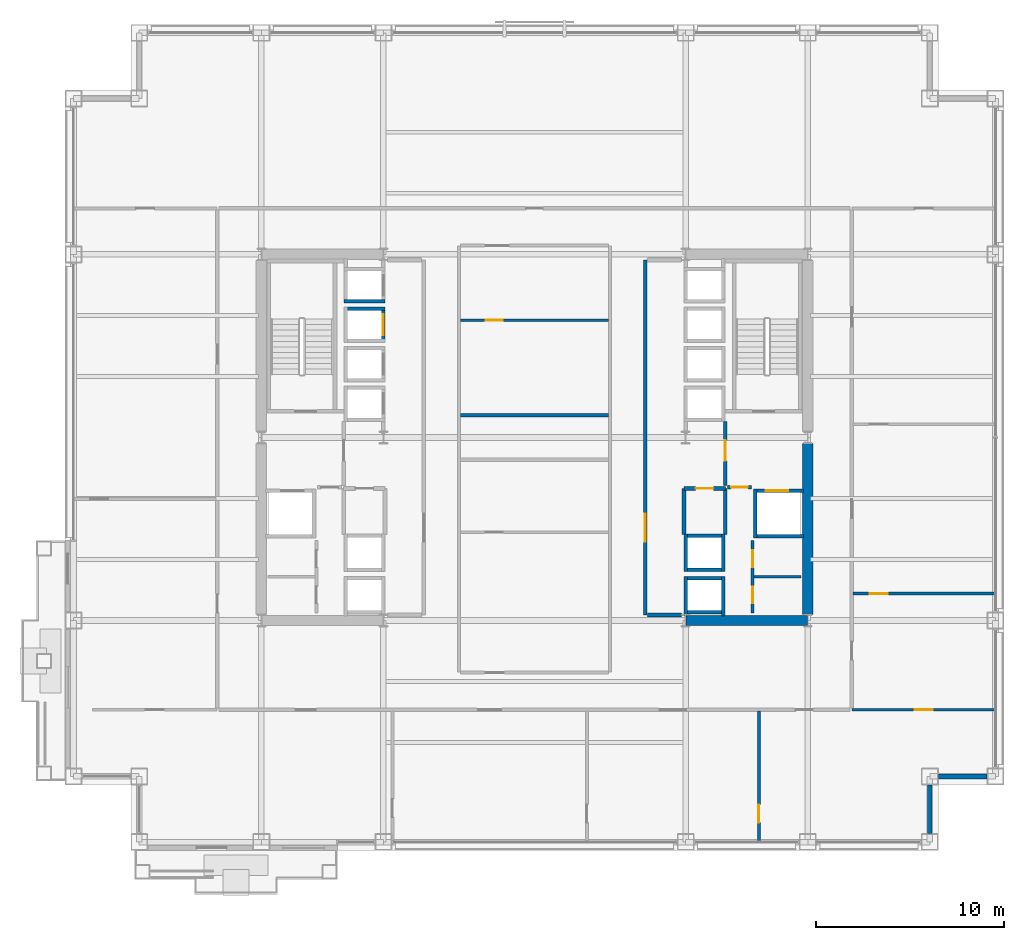
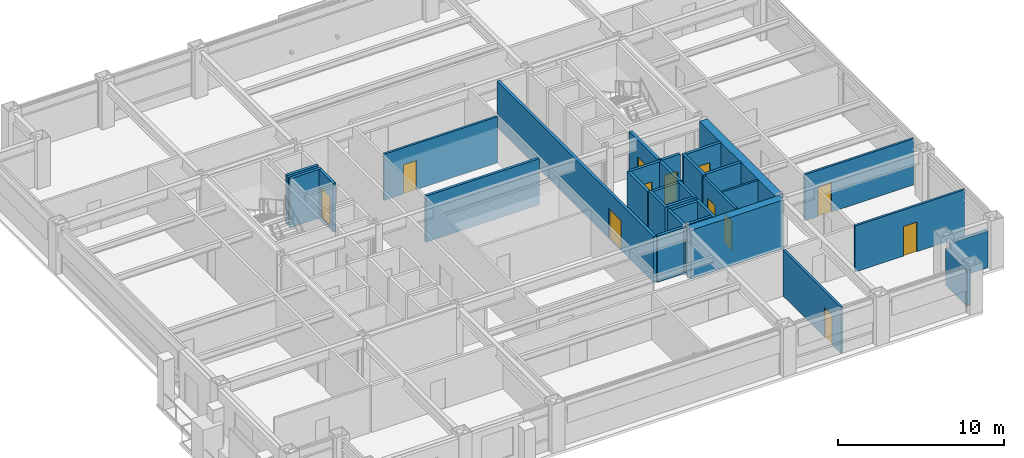
# One storey, part 24 of 29: 32 walls, 12 doors, 12 openings.
"""IFC4 building model written with IfcOpenShell, lengths in metres."""

import ifcopenshell
import ifcopenshell.guid

model = None  # the IFC model being written
_history = None  # IfcOwnerHistory: only IFC2X3 demands one
_inside = {}  # id of a spatial element -> (the spatial element, [elements in it])
_under = {}  # id of a project, library or spatial element -> (it, [spatial elements below it])
_declared = {}  # id of a project -> (the project, [libraries it declares])
_typed = {}  # id of a type object -> (the type object, [elements of that type])
_made_of = {}  # id of a material, layer set ... -> (it, [elements and type objects made of it])


def new_model(schema):
    """Start an empty IFC model of exactly this schema.

    Asked for "IFC4X3", IfcOpenShell would pick the latest addendum, in which some entities
    have other attributes; the version numbers below select the first issue.
    IFC2X3 requires an IfcOwnerHistory on every rooted entity: one is made here for all.
    """
    global model, _history
    if schema == "IFC4X3":
        model = ifcopenshell.file(schema_version=(4, 3, 0, 0))
    else:
        model = ifcopenshell.file(schema=schema)
    _inside.clear()
    _under.clear()
    _declared.clear()
    _typed.clear()
    _made_of.clear()
    _history = None
    if model.schema == "IFC2X3":
        org = make("IfcOrganization", Name="unknown")
        user = make(
            "IfcPersonAndOrganization",
            ThePerson=make("IfcPerson", FamilyName="unknown"),
            TheOrganization=org,
        )
        app = make(
            "IfcApplication",
            ApplicationDeveloper=org,
            Version="unknown",
            ApplicationFullName="unknown",
            ApplicationIdentifier="unknown",
        )
        _history = make(
            "IfcOwnerHistory",
            OwningUser=user,
            OwningApplication=app,
            ChangeAction="ADDED",
            CreationDate=0,
        )
    return model


def make(cls, **values):
    """One entity of the class cls with the attributes given. An attribute that is None is left unset."""
    return model.create_entity(
        cls, **{name: value for name, value in values.items() if value is not None}
    )


def rooted(cls, **values):
    """An entity with a GlobalId (a new one), such as an element, a storey or a relation."""
    return make(cls, GlobalId=ifcopenshell.guid.new(), OwnerHistory=_history, **values)


def si_unit(unit_type, name, prefix=None):
    """IfcSIUnit, for example si_unit("LENGTHUNIT", "METRE", prefix="MILLI")."""
    return make("IfcSIUnit", UnitType=unit_type, Prefix=prefix, Name=name)


def assignment(units):
    """IfcUnitAssignment: the units of a project."""
    return None if units is None else make("IfcUnitAssignment", Units=units)


def point(xyz):
    """IfcCartesianPoint."""
    return None if xyz is None else make("IfcCartesianPoint", Coordinates=xyz)


def direction(xyz):
    """IfcDirection."""
    return None if xyz is None else make("IfcDirection", DirectionRatios=xyz)


def frame(location, z_axis=None, x_axis=None):
    """IfcAxis2Placement3D, a coordinate frame: its origin and axes. An axis left out is left unset."""
    return make(
        "IfcAxis2Placement3D",
        Location=point(location),
        Axis=direction(z_axis),
        RefDirection=direction(x_axis),
    )


def frame_2d(location, x_axis=None):
    """IfcAxis2Placement2D, a coordinate frame in the plane: its origin and x axis."""
    return make(
        "IfcAxis2Placement2D", Location=point(location), RefDirection=direction(x_axis)
    )


def origin():
    """The frame at (0, 0, 0) with its axes left unset."""
    return frame((0.0, 0.0, 0.0))


def place(relative_to, where):
    """IfcLocalPlacement: puts the frame where relative to a parent placement (None: the world)."""
    return make(
        "IfcLocalPlacement", PlacementRelTo=relative_to, RelativePlacement=where
    )


def context(
    kind, dimensions, precision=None, world=None, true_north=None, identifier=None
):
    """IfcGeometricRepresentationContext, for example the 3D "Model" context."""
    return make(
        "IfcGeometricRepresentationContext",
        ContextIdentifier=identifier,
        ContextType=kind,
        CoordinateSpaceDimension=dimensions,
        Precision=precision,
        WorldCoordinateSystem=world,
        TrueNorth=true_north,
    )


def subcontext(parent, identifier, kind, view, scale=None):
    """IfcGeometricRepresentationSubContext, for example "Body" below "Model"."""
    return make(
        "IfcGeometricRepresentationSubContext",
        ContextIdentifier=identifier,
        ContextType=kind,
        ParentContext=parent,
        TargetScale=scale,
        TargetView=view,
    )


def project(units=None, contexts=None):
    """IfcProject with its units and contexts."""
    return rooted(
        "IfcProject",
        Name="project",
        RepresentationContexts=contexts,
        UnitsInContext=assignment(units),
    )


def spatial(cls, under=None, at=None, **own):
    """A site, building, storey or space (cls), placed at a placement, below another one or the project."""
    s = rooted(cls, ObjectPlacement=at, **own)
    if under is not None:
        _under.setdefault(under.id(), (under, []))[1].append(s)
    return s


def profile(cls, at=None, kind="AREA", **sizes):
    """A parametric profile (cls). Its sizes go by their IFC names, for example OverallWidth=200.0."""
    return make(cls, ProfileType=kind, Position=at, **sizes)


def rectangle(**sizes):
    """IfcRectangleProfileDef."""
    return profile("IfcRectangleProfileDef", **sizes)


def extrude(swept, where, along, depth):
    """IfcExtrudedAreaSolid: the profile swept, set in the frame where, extruded along a direction by depth."""
    return make(
        "IfcExtrudedAreaSolid",
        SweptArea=swept,
        Position=where,
        ExtrudedDirection=direction(along),
        Depth=depth,
    )


def shape(context_of_items, identifier, shape_type, items):
    """IfcShapeRepresentation: the items that make up one representation, for example the "Body"."""
    return make(
        "IfcShapeRepresentation",
        ContextOfItems=context_of_items,
        RepresentationIdentifier=identifier,
        RepresentationType=shape_type,
        Items=items,
    )


def material(Name=None, Category=None):
    """IfcMaterial."""
    return make("IfcMaterial", Name=Name, Category=Category)


def layer(
    of_material, thickness, ventilated=None, Name=None, Category=None, Priority=None
):
    """IfcMaterialLayer: one layer of a wall or slab, of a material (None: an air gap)."""
    return make(
        "IfcMaterialLayer",
        Material=of_material,
        LayerThickness=thickness,
        IsVentilated=ventilated,
        Name=Name,
        Category=Category,
        Priority=Priority,
    )


def layer_set(layers, Name=None):
    """IfcMaterialLayerSet."""
    return make("IfcMaterialLayerSet", MaterialLayers=layers, LayerSetName=Name)


def made_of(thing, what):
    """Note that an element or type object is made of a material, layer set ...; save() writes the relation."""
    if what is not None:
        _made_of.setdefault(what.id(), (what, []))[1].append(thing)
    return thing


def type_object(cls, material=None, **own):
    """A type object (cls), such as IfcWallType, which elements share."""
    return made_of(rooted(cls, **own), material)


def element(
    cls,
    number,
    at=None,
    inside=None,
    cuts=None,
    type_object=None,
    material=None,
    context=None,
    identifier="Body",
    shape_type=None,
    held_by="IfcProductDefinitionShape",
    body=None,
    shapes=None,
    **own,
):
    """One element of the class cls, such as IfcWall. Its Tag is "e" and its number.

    at: its placement. inside: the storey or other place that contains it. cuts: it is an
    opening in that element (IfcRelVoidsElement). A single representation is given by context,
    identifier, shape_type and body (its items); several are given by shapes. held_by: the class
    of the entity that holds the representations. save() writes the other relations.
    """
    e = rooted(cls, Tag="e%d" % number, ObjectPlacement=at, **own)
    if body is not None:
        shapes = [shape(context, identifier, shape_type, body)]
    if shapes is not None:
        e.Representation = make(held_by, Representations=shapes)
    if inside is not None:
        _inside.setdefault(inside.id(), (inside, []))[1].append(e)
    if cuts is not None:
        rooted(
            "IfcRelVoidsElement", RelatingBuildingElement=cuts, RelatedOpeningElement=e
        )
    if type_object is not None:
        _typed.setdefault(type_object.id(), (type_object, []))[1].append(e)
    return made_of(e, material)


def fill(opening, filler):
    """IfcRelFillsElement: the door or window that sits in an opening."""
    return rooted(
        "IfcRelFillsElement",
        RelatingOpeningElement=opening,
        RelatedBuildingElement=filler,
    )


def aggregate(whole, parts):
    """IfcRelAggregates: a whole, such as a stair, and the parts it consists of."""
    return rooted("IfcRelAggregates", RelatingObject=whole, RelatedObjects=parts)


def save(model, path):
    """Write the relations noted so far, then the file.

    IfcRelAggregates (storeys below a building ...), IfcRelContainedInSpatialStructure (elements
    in a storey), IfcRelDefinesByType, IfcRelAssociatesMaterial and IfcRelDeclares: one each for
    every whole, place, type object, material and project.
    """
    for whole, parts in _under.values():
        aggregate(whole, parts)
    for where, things in _inside.values():
        rooted(
            "IfcRelContainedInSpatialStructure",
            RelatedElements=things,
            RelatingStructure=where,
        )
    for kind, things in _typed.values():
        rooted("IfcRelDefinesByType", RelatedObjects=things, RelatingType=kind)
    for what, things in _made_of.values():
        rooted("IfcRelAssociatesMaterial", RelatedObjects=things, RelatingMaterial=what)
    for by, libraries in _declared.values():
        rooted("IfcRelDeclares", RelatingContext=by, RelatedDefinitions=libraries)
    model.write(path)


model = new_model("IFC4")

# Units and contexts
model_context = context("Model", 3, precision=1e-05, world=origin(), true_north=direction((0.0, 1.0)))
body_context = subcontext(model_context, "Body", "Model", "MODEL_VIEW")
ifc_project = project(units=[si_unit("LENGTHUNIT", "METRE"), si_unit("AREAUNIT", "SQUARE_METRE"), si_unit("VOLUMEUNIT", "CUBIC_METRE"), si_unit("PLANEANGLEUNIT", "RADIAN"), si_unit("MASSUNIT", "GRAM", prefix="KILO")], contexts=[model_context])

# Site, building, storey
site_placement = place(None, origin())
site = spatial("IfcSite", under=ifc_project, at=site_placement, CompositionType="ELEMENT")
building_placement = place(site_placement, origin())
building = spatial("IfcBuilding", under=site, at=building_placement, Name="Brelmoor Portico Tower", CompositionType="ELEMENT")
storey_placement = place(building_placement, frame((0.0, 0.0, 63.60009765625)))
storey = spatial("IfcBuildingStorey", under=building, at=storey_placement, Name="L16", CompositionType="ELEMENT", Elevation=63.60009765625)

# Walls
ifc_material_1 = material(Name="Concrete C60", Category="concrete")
ifc_layer_1 = layer(ifc_material_1, 0.550048828125)
ifc_layer_set_1 = layer_set([ifc_layer_1], Name="Concrete C60")
wall_type_1 = type_object("IfcWallType", Name="WL-CORE-550", PredefinedType="SHEAR", material=ifc_layer_set_1)
wall_1_placement = place(storey_placement, frame((8.070068359375, -9.75, -0.2001953125), z_axis=(0.0, 0.0, 1.0), x_axis=(1.0, 0.0, 0.0)))
element("IfcWall", 1, at=wall_1_placement, inside=storey, type_object=wall_type_1, Name="L16 EC South Shear Wall", PredefinedType="SHEAR", context=body_context, shape_type="SweptSolid", body=[
    extrude(rectangle(XDim=6.4599609375, YDim=0.550048828125, at=frame_2d((3.22998046875, 0.0))), origin(), (0.0, 0.0, 1.0), 3.60009765625),
])
wall_2_placement = place(storey_placement, frame((14.550048828125, -9.425048828125, -0.2001953125), z_axis=(0.0, 0.0, 1.0), x_axis=(0.0, 1.0, 0.0)))
element("IfcWall", 2, at=wall_2_placement, inside=storey, type_object=wall_type_1, Name="L16 EC Outer South Shear Wall", PredefinedType="SHEAR", context=body_context, shape_type="SweptSolid", body=[
    extrude(rectangle(XDim=9.10009765625, YDim=0.550048828125, at=frame_2d((4.550048828125, 0.0))), origin(), (0.0, 0.0, 1.0), 3.60009765625),
])
ifc_material_2 = material(Name="Precast Concrete C40 Insulated Facade Wall", Category="concrete")
ifc_layer_2 = layer(ifc_material_2, 0.25)
ifc_layer_set_2 = layer_set([ifc_layer_2], Name="Precast Concrete C40 Insulated Facade Wall")
wall_type_2 = type_object("IfcWallType", Name="WL-EXT-250", PredefinedType="STANDARD", material=ifc_layer_set_2)
for number, where, z_axis, x_axis, name in (
    (3, (21.510009765625, -18.050048828125, 0.0), (0.0, 0.0, 1.0), (1.0, 0.0, 0.0), "L16 Corner Notch Facade Wall NSEH1"),
    (4, (21.050048828125, -21.090087890625, 0.0), (0.0, 0.0, 1.0), (0.0, 1.0, 0.0), "L16 Corner Notch Facade Wall NSEV1"),
):
    element("IfcWall", number, at=place(storey_placement, frame(where, z_axis=z_axis, x_axis=x_axis)), inside=storey, type_object=wall_type_2, Name=name, PredefinedType="STANDARD", context=body_context, shape_type="SweptSolid", body=[
        extrude(rectangle(XDim=2.580078125, YDim=0.25, at=frame_2d((1.2900390625, 0.0))), origin(), (0.0, 0.0, 1.0), 2.699951171875),
    ])
ifc_material_3 = material(Name="Insulated Stud Suite Partition", Category="gypsum")
ifc_layer_3 = layer(ifc_material_3, 0.139892578125)
ifc_layer_set_3 = layer_set([ifc_layer_3], Name="Insulated Stud Suite Partition")
wall_type_3 = type_object("IfcWallType", Name="WL-PART-140", PredefinedType="PARTITIONING", material=ifc_layer_set_3)
wall_3_placement = place(storey_placement, frame((11.699951171875, -7.425048828125, 0.0), z_axis=(0.0, 0.0, 1.0), x_axis=(1.0, 0.0, 0.0)))
element("IfcWall", 5, at=wall_3_placement, inside=storey, type_object=wall_type_3, Name="L16 E Core WC Divider 1", PredefinedType="PARTITIONING", context=body_context, shape_type="SweptSolid", body=[
    extrude(rectangle(XDim=2.5, YDim=0.139892578125, at=frame_2d((1.25, 0.0))), origin(), (0.0, 0.0, 1.0), 3.39990234375),
])

# Wall, opening, door
ifc_material_4 = material(Name="Wet-Area Moisture-Resistant Partition", Category="gypsum")
ifc_layer_4 = layer(ifc_material_4, 0.14990234375)
ifc_layer_set_4 = layer_set([ifc_layer_4], Name="Wet-Area Moisture-Resistant Partition")
wall_type_4 = type_object("IfcWallType", Name="WL-PART-150", PredefinedType="PARTITIONING", material=ifc_layer_set_4)
wall_4_placement = place(storey_placement, frame((-3.949951171875, 6.239990234375, 0.0), z_axis=(0.0, 0.0, 1.0), x_axis=(1.0, 0.0, 0.0)))
wall_4 = element("IfcWall", 6, at=wall_4_placement, inside=storey, type_object=wall_type_4, Name="L16 Central Archive Divider", PredefinedType="PARTITIONING", context=body_context, shape_type="SweptSolid", body=[
    extrude(rectangle(XDim=7.89990234375, YDim=0.14990234375, at=frame_2d((3.949951171875, 0.0))), origin(), (0.0, 0.0, 1.0), 3.39990234375),
])
opening_1_placement = place(wall_4_placement, frame((1.35009765625, 0.0, 0.0)))
opening_1 = element("IfcOpeningElement", 7, at=opening_1_placement, cuts=wall_4, Name="Opening D-IN1", PredefinedType="OPENING", context=body_context, shape_type="SweptSolid", body=[
    extrude(rectangle(XDim=0.89990234375, YDim=2.14990234375, at=frame_2d((0.449951171875, 1.074951171875))), frame((0.0, 0.0849609375, 0.0), z_axis=(0.0, -1.0, 0.0), x_axis=(1.0, 0.0, 0.0)), (0.0, 0.0, 1.0), 0.169921875),
])
ifc_material_5 = material(Name="Lacquered Timber Suite Door", Category="wood")
door_type_1 = type_object("IfcDoorType", Name="DR-INT-900", OperationType="NOTDEFINED", PredefinedType="DOOR", material=ifc_material_5)
door_1_placement = place(opening_1_placement, origin())
door_1 = element("IfcDoor", 8, at=door_1_placement, inside=storey, type_object=door_type_1, Name="D-0708 L16 Central File Room Door", OperationType="SINGLE_SWING_LEFT", OverallHeight=2.14990234375, OverallWidth=0.89990234375, PredefinedType="DOOR", context=body_context, shape_type="SweptSolid", body=[
    extrude(rectangle(XDim=0.89990234375, YDim=2.14990234375, at=frame_2d((0.449951171875, 1.074951171875))), frame((0.0, 0.02490234375, 0.0), z_axis=(0.0, -1.0, 0.0), x_axis=(1.0, 0.0, 0.0)), (0.0, 0.0, 1.0), 0.050048828125),
])
fill(opening_1, door_1)

wall_5_placement = place(storey_placement, frame((11.946044921875, -21.56005859375, 0.0), z_axis=(0.0, 0.0, 1.0), x_axis=(0.0, 1.0, 0.0)))
wall_5 = element("IfcWall", 9, at=wall_5_placement, inside=storey, type_object=wall_type_4, Name="L16 South Suite Partition 3", PredefinedType="PARTITIONING", context=body_context, shape_type="SweptSolid", body=[
    extrude(rectangle(XDim=7.0, YDim=0.14990234375, at=frame_2d((3.5, 0.0))), origin(), (0.0, 0.0, 1.0), 3.39990234375),
])
opening_2_placement = place(wall_5_placement, frame((1.050048828125, 0.0, 0.0)))
opening_2 = element("IfcOpeningElement", 10, at=opening_2_placement, cuts=wall_5, Name="Opening D-IN2", PredefinedType="OPENING", context=body_context, shape_type="SweptSolid", body=[
    extrude(rectangle(XDim=0.9599609375, YDim=2.179931640625, at=frame_2d((0.47998046875, 1.08984375))), frame((0.0, 0.0849609375, 0.0), z_axis=(0.0, -1.0, 0.0), x_axis=(1.0, 0.0, 0.0)), (0.0, 0.0, 1.0), 0.169921875),
])
door_type_2 = type_object("IfcDoorType", Name="DR-INT-950", OperationType="NOTDEFINED", PredefinedType="DOOR", material=ifc_material_5)
door_2_placement = place(opening_2_placement, origin())
door_2 = element("IfcDoor", 11, at=door_2_placement, inside=storey, type_object=door_type_2, Name="D-0732 L16 South Suite Connecting Door 3", OperationType="SINGLE_SWING_RIGHT", OverallHeight=2.179931640625, OverallWidth=0.9599609375, PredefinedType="DOOR", context=body_context, shape_type="SweptSolid", body=[
    extrude(rectangle(XDim=0.9599609375, YDim=2.179931640625, at=frame_2d((0.47998046875, 1.08984375))), frame((0.0, 0.02490234375, 0.0), z_axis=(0.0, -1.0, 0.0), x_axis=(1.0, 0.0, 0.0)), (0.0, 0.0, 1.0), 0.050048828125),
])
fill(opening_2, door_2)

wall_6_placement = place(storey_placement, frame((16.89990234375, -14.5, 0.0), z_axis=(0.0, 0.0, 1.0), x_axis=(1.0, 0.0, 0.0)))
wall_6 = element("IfcWall", 12, at=wall_6_placement, inside=storey, type_object=wall_type_4, Name="L16 South Outer Closure ER", PredefinedType="PARTITIONING", context=body_context, shape_type="SweptSolid", body=[
    extrude(rectangle(XDim=7.66015625, YDim=0.14990234375, at=frame_2d((3.830078125, 0.0))), origin(), (0.0, 0.0, 1.0), 3.39990234375),
])
opening_3_placement = place(wall_6_placement, frame((3.35009765625, 0.0, 0.0)))
opening_3 = element("IfcOpeningElement", 13, at=opening_3_placement, cuts=wall_6, Name="Opening D-IN2", PredefinedType="OPENING", context=body_context, shape_type="SweptSolid", body=[
    extrude(rectangle(XDim=0.9599609375, YDim=2.179931640625, at=frame_2d((0.47998046875, 1.08984375))), frame((0.0, 0.0849609375, 0.0), z_axis=(0.0, -1.0, 0.0), x_axis=(1.0, 0.0, 0.0)), (0.0, 0.0, 1.0), 0.169921875),
])
door_3_placement = place(opening_3_placement, origin())
door_3 = element("IfcDoor", 14, at=door_3_placement, inside=storey, type_object=door_type_2, Name="D-0735 L16 ER South Corner Suite Door", OperationType="SINGLE_SWING_LEFT", OverallHeight=2.179931640625, OverallWidth=0.9599609375, PredefinedType="DOOR", context=body_context, shape_type="SweptSolid", body=[
    extrude(rectangle(XDim=0.9599609375, YDim=2.179931640625, at=frame_2d((0.47998046875, 1.08984375))), frame((0.0, 0.02490234375, 0.0), z_axis=(0.0, -1.0, 0.0), x_axis=(1.0, 0.0, 0.0)), (0.0, 0.0, 1.0), 0.050048828125),
])
fill(opening_3, door_3)

wall_7_placement = place(storey_placement, frame((16.9599609375, -8.31591796875, 0.0), z_axis=(0.0, 0.0, 1.0), x_axis=(1.0, 0.0, 0.0)))
wall_7 = element("IfcWall", 15, at=wall_7_placement, inside=storey, type_object=wall_type_4, Name="L16 E Wing Partition 1", PredefinedType="PARTITIONING", context=body_context, shape_type="SweptSolid", body=[
    extrude(rectangle(XDim=7.60009765625, YDim=0.14990234375, at=frame_2d((3.800048828125, 0.0))), origin(), (0.0, 0.0, 1.0), 3.39990234375),
])
opening_4_placement = place(wall_7_placement, frame((0.89990234375, 0.0, 0.0)))
opening_4 = element("IfcOpeningElement", 16, at=opening_4_placement, cuts=wall_7, Name="Opening D-IN2", PredefinedType="OPENING", context=body_context, shape_type="SweptSolid", body=[
    extrude(rectangle(XDim=0.9599609375, YDim=2.179931640625, at=frame_2d((0.47998046875, 1.08984375))), frame((0.0, 0.0849609375, 0.0), z_axis=(0.0, -1.0, 0.0), x_axis=(1.0, 0.0, 0.0)), (0.0, 0.0, 1.0), 0.169921875),
])
door_4_placement = place(opening_4_placement, origin())
door_4 = element("IfcDoor", 17, at=door_4_placement, inside=storey, type_object=door_type_2, Name="D-0742 L16 E Wing Suite Connecting Door 1", OperationType="SINGLE_SWING_LEFT", OverallHeight=2.179931640625, OverallWidth=0.9599609375, PredefinedType="DOOR", context=body_context, shape_type="SweptSolid", body=[
    extrude(rectangle(XDim=0.9599609375, YDim=2.179931640625, at=frame_2d((0.47998046875, 1.08984375))), frame((0.0, 0.02490234375, 0.0), z_axis=(0.0, -1.0, 0.0), x_axis=(1.0, 0.0, 0.0)), (0.0, 0.0, 1.0), 0.050048828125),
])
fill(opening_4, door_4)

# Wall, openings, doors
ifc_material_6 = material(Name="Twin-Frame Acoustic Partition", Category="gypsum")
ifc_layer_5 = layer(ifc_material_6, 0.159912109375)
ifc_layer_set_5 = layer_set([ifc_layer_5], Name="Twin-Frame Acoustic Partition")
wall_type_5 = type_object("IfcWallType", Name="WL-PART-160", PredefinedType="PARTITIONING", material=ifc_layer_set_5)
wall_8_placement = place(storey_placement, frame((11.6201171875, -9.35009765625, 0.0), z_axis=(0.0, 0.0, 1.0), x_axis=(0.0, 1.0, 0.0)))
wall_8 = element("IfcWall", 18, at=wall_8_placement, inside=storey, type_object=wall_type_5, Name="L16 E Core Service Front Wall", PredefinedType="PARTITIONING", context=body_context, shape_type="SweptSolid", body=[
    extrude(rectangle(XDim=3.85009765625, YDim=0.159912109375, at=frame_2d((1.925048828125, 0.0))), origin(), (0.0, 0.0, 1.0), 3.39990234375),
])
opening_5_placement = place(wall_8_placement, frame((0.512451171875, 0.0, 0.0)))
opening_5 = element("IfcOpeningElement", 19, at=opening_5_placement, cuts=wall_8, Name="Opening D-IN1", PredefinedType="OPENING", context=body_context, shape_type="SweptSolid", body=[
    extrude(rectangle(XDim=0.89990234375, YDim=2.14990234375, at=frame_2d((0.449951171875, 1.074951171875))), frame((0.0, 0.08984375, 0.0), z_axis=(0.0, -1.0, 0.0), x_axis=(1.0, 0.0, 0.0)), (0.0, 0.0, 1.0), 0.179931640625),
])
opening_6_placement = place(wall_8_placement, frame((2.4375, 0.0, 0.0)))
opening_6 = element("IfcOpeningElement", 20, at=opening_6_placement, cuts=wall_8, Name="Opening D-IN1", PredefinedType="OPENING", context=body_context, shape_type="SweptSolid", body=[
    extrude(rectangle(XDim=0.89990234375, YDim=2.14990234375, at=frame_2d((0.449951171875, 1.074951171875))), frame((0.0, 0.08984375, 0.0), z_axis=(0.0, -1.0, 0.0), x_axis=(1.0, 0.0, 0.0)), (0.0, 0.0, 1.0), 0.179931640625),
])
door_5_placement = place(opening_5_placement, origin())
door_5 = element("IfcDoor", 21, at=door_5_placement, inside=storey, type_object=door_type_1, Name="D-0711 L16 E Male WC Door", OperationType="SINGLE_SWING_LEFT", OverallHeight=2.14990234375, OverallWidth=0.89990234375, PredefinedType="DOOR", context=body_context, shape_type="SweptSolid", body=[
    extrude(rectangle(XDim=0.89990234375, YDim=2.14990234375, at=frame_2d((0.449951171875, 1.074951171875))), frame((0.0, 0.02490234375, 0.0), z_axis=(0.0, -1.0, 0.0), x_axis=(1.0, 0.0, 0.0)), (0.0, 0.0, 1.0), 0.050048828125),
])
fill(opening_5, door_5)
door_6_placement = place(opening_6_placement, origin())
door_6 = element("IfcDoor", 22, at=door_6_placement, inside=storey, type_object=door_type_1, Name="D-0712 L16 E Female WC Door", OperationType="SINGLE_SWING_RIGHT", OverallHeight=2.14990234375, OverallWidth=0.89990234375, PredefinedType="DOOR", context=body_context, shape_type="SweptSolid", body=[
    extrude(rectangle(XDim=0.89990234375, YDim=2.14990234375, at=frame_2d((0.449951171875, 1.074951171875))), frame((0.0, 0.02490234375, 0.0), z_axis=(0.0, -1.0, 0.0), x_axis=(1.0, 0.0, 0.0)), (0.0, 0.0, 1.0), 0.050048828125),
])
fill(opening_6, door_6)

# Wall
ifc_material_7 = material(Name="Acoustic Corridor Fire Partition", Category="gypsum")
ifc_layer_6 = layer(ifc_material_7, 0.179931640625)
ifc_layer_set_6 = layer_set([ifc_layer_6], Name="Acoustic Corridor Fire Partition")
wall_type_6 = type_object("IfcWallType", Name="WL-PART-180", PredefinedType="PARTITIONING", material=ifc_layer_set_6)
wall_9_placement = place(storey_placement, frame((-3.949951171875, 1.179931640625, 0.0), z_axis=(0.0, 0.0, 1.0), x_axis=(1.0, 0.0, 0.0)))
element("IfcWall", 23, at=wall_9_placement, inside=storey, type_object=wall_type_6, Name="L16 Central Meeting South Wall", PredefinedType="PARTITIONING", context=body_context, shape_type="SweptSolid", body=[
    extrude(rectangle(XDim=7.89990234375, YDim=0.179931640625, at=frame_2d((3.949951171875, 0.0))), origin(), (0.0, 0.0, 1.0), 3.39990234375),
])

# Wall, opening, door
ifc_material_8 = material(Name="Double-Stud Gypsum Fire Partition", Category="gypsum")
ifc_layer_7 = layer(ifc_material_8, 0.199951171875)
ifc_layer_set_7 = layer_set([ifc_layer_7], Name="Double-Stud Gypsum Fire Partition")
wall_type_7 = type_object("IfcWallType", Name="WL-PART-200", PredefinedType="PARTITIONING", material=ifc_layer_set_7)
wall_10_placement = place(storey_placement, frame((5.89990234375, -9.449951171875, 0.0), z_axis=(0.0, 0.0, 1.0), x_axis=(0.0, 1.0, 0.0)))
wall_10 = element("IfcWall", 24, at=wall_10_placement, inside=storey, type_object=wall_type_7, Name="L16 E Core Lobby Compartment Wall", PredefinedType="PARTITIONING", context=body_context, shape_type="SweptSolid", body=[
    extrude(rectangle(XDim=18.89990234375, YDim=0.199951171875, at=frame_2d((9.449951171875, 0.0))), origin(), (0.0, 0.0, 1.0), 3.39990234375),
])
opening_7_placement = place(wall_10_placement, frame((3.89990234375, 0.0, 0.0)))
opening_7 = element("IfcOpeningElement", 25, at=opening_7_placement, cuts=wall_10, Name="Opening D-LB1", PredefinedType="OPENING", context=body_context, shape_type="SweptSolid", body=[
    extrude(rectangle(XDim=1.5, YDim=2.199951171875, at=frame_2d((0.75, 1.10009765625))), frame((0.0, 0.10986328125, 0.0), z_axis=(0.0, -1.0, 0.0), x_axis=(1.0, 0.0, 0.0)), (0.0, 0.0, 1.0), 0.219970703125),
])
ifc_material_9 = material(Name="Double-Leaf Glazed Steel Fire Door", Category="steel")
door_type_3 = type_object("IfcDoorType", Name="DR-LOBBY-1500", OperationType="NOTDEFINED", PredefinedType="DOOR", material=ifc_material_9)
door_7_placement = place(opening_7_placement, origin())
door_7 = element("IfcDoor", 26, at=door_7_placement, inside=storey, type_object=door_type_3, Name="D-0721 L16 E Lift Lobby Main Door", OperationType="DOUBLE_DOOR_SINGLE_SWING", OverallHeight=2.199951171875, OverallWidth=1.5, PredefinedType="DOOR", context=body_context, shape_type="SweptSolid", body=[
    extrude(rectangle(XDim=1.5, YDim=2.199951171875, at=frame_2d((0.75, 1.10009765625))), frame((0.0, 0.02490234375, 0.0), z_axis=(0.0, -1.0, 0.0), x_axis=(1.0, 0.0, 0.0)), (0.0, 0.0, 1.0), 0.050048828125),
])
fill(opening_7, door_7)

# Wall
wall_11_placement = place(storey_placement, frame((6.02001953125, -9.449951171875, 0.0), z_axis=(0.0, 0.0, 1.0), x_axis=(1.0, 0.0, 0.0)))
element("IfcWall", 27, at=wall_11_placement, inside=storey, type_object=wall_type_7, Name="L16 E Lift Lobby South End Wall", PredefinedType="PARTITIONING", context=body_context, shape_type="SweptSolid", body=[
    extrude(rectangle(XDim=1.800048828125, YDim=0.199951171875, at=frame_2d((0.89990234375, 0.0))), origin(), (0.0, 0.0, 1.0), 3.39990234375),
])

# Wall, opening, door
wall_12_placement = place(storey_placement, frame((10.159912109375, -2.550048828125, 0.0), z_axis=(0.0, 0.0, 1.0), x_axis=(0.0, 1.0, 0.0)))
wall_12 = element("IfcWall", 28, at=wall_12_placement, inside=storey, type_object=wall_type_7, Name="L16 E Firefighting Lobby Wall", PredefinedType="PARTITIONING", context=body_context, shape_type="SweptSolid", body=[
    extrude(rectangle(XDim=3.400146484375, YDim=0.199951171875, at=frame_2d((1.7001953125, 0.0))), origin(), (0.0, 0.0, 1.0), 3.39990234375),
])
opening_8_placement = place(wall_12_placement, frame((1.300048828125, 0.0, 0.0)))
opening_8 = element("IfcOpeningElement", 29, at=opening_8_placement, cuts=wall_12, Name="Opening D-FR1", PredefinedType="OPENING", context=body_context, shape_type="SweptSolid", body=[
    extrude(rectangle(XDim=1.10009765625, YDim=2.14990234375, at=frame_2d((0.550048828125, 1.074951171875))), frame((0.0, 0.10986328125, 0.0), z_axis=(0.0, -1.0, 0.0), x_axis=(1.0, 0.0, 0.0)), (0.0, 0.0, 1.0), 0.219970703125),
])
ifc_material_10 = material(Name="Painted Galvanised Steel Fire Door", Category="steel")
door_type_4 = type_object("IfcDoorType", Name="DR-FIRE-1100", OperationType="NOTDEFINED", PredefinedType="DOOR", material=ifc_material_10)
door_8_placement = place(opening_8_placement, origin())
door_8 = element("IfcDoor", 30, at=door_8_placement, inside=storey, type_object=door_type_4, Name="D-0719 L16 E Firefighting Lobby Door", OperationType="SINGLE_SWING_RIGHT", OverallHeight=2.14990234375, OverallWidth=1.10009765625, PredefinedType="DOOR", context=body_context, shape_type="SweptSolid", body=[
    extrude(rectangle(XDim=1.10009765625, YDim=2.14990234375, at=frame_2d((0.550048828125, 1.074951171875))), frame((0.0, 0.02490234375, 0.0), z_axis=(0.0, -1.0, 0.0), x_axis=(1.0, 0.0, 0.0)), (0.0, 0.0, 1.0), 0.050048828125),
])
fill(opening_8, door_8)

wall_13_placement = place(storey_placement, frame((10.280029296875, -2.64990234375, 0.0), z_axis=(0.0, 0.0, 1.0), x_axis=(1.0, 0.0, 0.0)))
wall_13 = element("IfcWall", 31, at=wall_13_placement, inside=storey, type_object=wall_type_7, Name="L16 E Firefighting Lobby South Wall", PredefinedType="PARTITIONING", context=body_context, shape_type="SweptSolid", body=[
    extrude(rectangle(XDim=1.27001953125, YDim=0.199951171875, at=frame_2d((0.635009765625, 0.0))), origin(), (0.0, 0.0, 1.0), 3.39990234375),
])
opening_9_placement = place(wall_13_placement, frame((0.18505859375, 0.0, 0.0)))
opening_9 = element("IfcOpeningElement", 32, at=opening_9_placement, cuts=wall_13, Name="Opening D-IN1", PredefinedType="OPENING", context=body_context, shape_type="SweptSolid", body=[
    extrude(rectangle(XDim=0.89990234375, YDim=2.14990234375, at=frame_2d((0.449951171875, 1.074951171875))), frame((0.0, 0.10986328125, 0.0), z_axis=(0.0, -1.0, 0.0), x_axis=(1.0, 0.0, 0.0)), (0.0, 0.0, 1.0), 0.219970703125),
])
door_9_placement = place(opening_9_placement, origin())
door_9 = element("IfcDoor", 33, at=door_9_placement, inside=storey, type_object=door_type_1, Name="D-0713 L16 E Core Service Vestibule Door", OperationType="SINGLE_SWING_LEFT", OverallHeight=2.14990234375, OverallWidth=0.89990234375, PredefinedType="DOOR", context=body_context, shape_type="SweptSolid", body=[
    extrude(rectangle(XDim=0.89990234375, YDim=2.14990234375, at=frame_2d((0.449951171875, 1.074951171875))), frame((0.0, 0.02490234375, 0.0), z_axis=(0.0, -1.0, 0.0), x_axis=(1.0, 0.0, 0.0)), (0.0, 0.0, 1.0), 0.050048828125),
])
fill(opening_9, door_9)

wall_14_placement = place(storey_placement, frame((7.9599609375, -2.719970703125, 0.0), z_axis=(0.0, 0.0, 1.0), x_axis=(1.0, 0.0, 0.0)))
wall_14 = element("IfcWall", 34, at=wall_14_placement, inside=storey, type_object=wall_type_7, Name="L16 E Electrical Switchgear Closet Wall", PredefinedType="PARTITIONING", context=body_context, shape_type="SweptSolid", body=[
    extrude(rectangle(XDim=2.199951171875, YDim=0.199951171875, at=frame_2d((1.10009765625, 0.0))), origin(), (0.0, 0.0, 1.0), 3.39990234375),
])
opening_10_placement = place(wall_14_placement, frame((0.6201171875, 0.0, 0.0)))
opening_10 = element("IfcOpeningElement", 35, at=opening_10_placement, cuts=wall_14, Name="Opening D-FR4", PredefinedType="OPENING", context=body_context, shape_type="SweptSolid", body=[
    extrude(rectangle(XDim=0.949951171875, YDim=2.10009765625, at=frame_2d((0.47509765625, 1.050048828125))), frame((0.0, 0.10986328125, 0.0), z_axis=(0.0, -1.0, 0.0), x_axis=(1.0, 0.0, 0.0)), (0.0, 0.0, 1.0), 0.219970703125),
])
ifc_material_11 = material(Name="Painted Galvanised Steel Riser Door", Category="steel")
door_type_5 = type_object("IfcDoorType", Name="DR-FIRE-950", OperationType="NOTDEFINED", PredefinedType="DOOR", material=ifc_material_11)
door_10_placement = place(opening_10_placement, origin())
door_10 = element("IfcDoor", 36, at=door_10_placement, inside=storey, type_object=door_type_5, Name="D-0717 L16 E Electrical Switchgear Closet Door", OperationType="SINGLE_SWING_RIGHT", OverallHeight=2.10009765625, OverallWidth=0.949951171875, PredefinedType="DOOR", context=body_context, shape_type="SweptSolid", body=[
    extrude(rectangle(XDim=0.949951171875, YDim=2.10009765625, at=frame_2d((0.47509765625, 1.050048828125))), frame((0.0, 0.02490234375, 0.0), z_axis=(0.0, -1.0, 0.0), x_axis=(1.0, 0.0, 0.0)), (0.0, 0.0, 1.0), 0.050048828125),
])
fill(opening_10, door_10)

# Walls
for number, where, z_axis, x_axis, name in (
    (37, (7.9599609375, -5.159912109375, 0.0), (0.0, 0.0, 1.0), (0.0, 1.0, 0.0), "L16 E Electrical Switchgear Closet Inner Wall"),
    (38, (10.159912109375, -5.159912109375, 0.0), (0.0, 0.0, 1.0), (0.0, 1.0, 0.0), "L16 E Electrical Switchgear Closet Outer Wall"),
):
    element("IfcWall", number, at=place(storey_placement, frame(where, z_axis=z_axis, x_axis=x_axis)), inside=storey, type_object=wall_type_7, Name=name, PredefinedType="PARTITIONING", context=body_context, shape_type="SweptSolid", body=[
        extrude(rectangle(XDim=2.43994140625, YDim=0.199951171875, at=frame_2d((1.219970703125, 0.0))), origin(), (0.0, 0.0, 1.0), 3.39990234375),
    ])

# Wall, opening, door
ifc_material_12 = material(Name="Precast Concrete C40", Category="concrete")
ifc_layer_8 = layer(ifc_material_12, 0.18994140625)
ifc_layer_set_8 = layer_set([ifc_layer_8], Name="Precast Concrete C40")
wall_type_8 = type_object("IfcWallType", Name="WL-SHAFT-180", PredefinedType="SOLIDWALL", material=ifc_layer_set_8)
wall_15_placement = place(storey_placement, frame((-8.044921875, 5.050048828125, -0.2001953125), z_axis=(0.0, 0.0, 1.0), x_axis=(0.0, 1.0, 0.0)))
wall_15 = element("IfcWall", 39, at=wall_15_placement, inside=storey, type_object=wall_type_8, Name="L16 Lift PL3 Hoistway Front Wall", PredefinedType="SOLIDWALL", context=body_context, shape_type="SweptSolid", body=[
    extrude(rectangle(XDim=1.89990234375, YDim=0.18994140625, at=frame_2d((0.949951171875, 0.0))), origin(), (0.0, 0.0, 1.0), 3.60009765625),
])
opening_11_placement = place(wall_15_placement, frame((0.39990234375, 0.0, 0.199951171875)))
opening_11 = element("IfcOpeningElement", 40, at=opening_11_placement, cuts=wall_15, Name="Opening LD-01", PredefinedType="OPENING", context=body_context, shape_type="SweptSolid", body=[
    extrude(rectangle(XDim=1.10009765625, YDim=2.199951171875, at=frame_2d((0.550048828125, 1.10009765625))), frame((0.0, 0.10498046875, 0.0), z_axis=(0.0, -1.0, 0.0), x_axis=(1.0, 0.0, 0.0)), (0.0, 0.0, 1.0), 0.2099609375),
])
ifc_material_13 = material(Name="Brushed Stainless Steel Sliding Lift Door", Category="steel")
door_type_6 = type_object("IfcDoorType", Name="DR-LIFT-1100", OperationType="NOTDEFINED", PredefinedType="DOOR", material=ifc_material_13)
door_11_placement = place(opening_11_placement, origin())
door_11 = element("IfcDoor", 41, at=door_11_placement, inside=storey, type_object=door_type_6, Name="D-0751 L16 Lift PL3 Sliding Landing Door", OperationType="SLIDING_TO_LEFT", OverallHeight=2.199951171875, OverallWidth=1.10009765625, PredefinedType="DOOR", context=body_context, shape_type="SweptSolid", body=[
    extrude(rectangle(XDim=1.10009765625, YDim=2.199951171875, at=frame_2d((0.550048828125, 1.10009765625))), frame((0.0, 0.02490234375, 0.0), z_axis=(0.0, -1.0, 0.0), x_axis=(1.0, 0.0, 0.0)), (0.0, 0.0, 1.0), 0.050048828125),
])
fill(opening_11, door_11)

# Walls
for number, where, z_axis, x_axis, name in (
    (42, (-10.14990234375, 6.85498046875, -0.2001953125), (0.0, 0.0, 1.0), (1.0, 0.0, 0.0), "L16 Lift PL3 Hoistway North Wall"),
    (43, (-10.14990234375, 7.2451171875, -0.2001953125), (0.0, 0.0, 1.0), (1.0, 0.0, 0.0), "L16 Lift PL4 Hoistway South Wall"),
):
    element("IfcWall", number, at=place(storey_placement, frame(where, z_axis=z_axis, x_axis=x_axis)), inside=storey, type_object=wall_type_8, Name=name, PredefinedType="SOLIDWALL", context=body_context, shape_type="SweptSolid", body=[
        extrude(rectangle(XDim=2.199951171875, YDim=0.18994140625, at=frame_2d((1.10009765625, 0.0))), origin(), (0.0, 0.0, 1.0), 3.60009765625),
    ])
for number, where, z_axis, x_axis, name in (
    (44, (8.044921875, -9.52001953125, -0.2001953125), (0.0, 0.0, 1.0), (0.0, 1.0, 0.0), "L16 Lift PH3 Hoistway Front Wall"),
    (45, (10.054931640625, -9.52001953125, -0.2001953125), (0.0, 0.0, 1.0), (0.0, 1.0, 0.0), "L16 Lift PH3 Hoistway Back Wall"),
):
    element("IfcWall", number, at=place(storey_placement, frame(where, z_axis=z_axis, x_axis=x_axis)), inside=storey, type_object=wall_type_8, Name=name, PredefinedType="SOLIDWALL", context=body_context, shape_type="SweptSolid", body=[
        extrude(rectangle(XDim=2.1201171875, YDim=0.18994140625, at=frame_2d((1.06005859375, 0.0))), origin(), (0.0, 0.0, 1.0), 3.60009765625),
    ])
for number, where, z_axis, x_axis, name in (
    (46, (7.949951171875, -7.4951171875, -0.2001953125), (0.0, 0.0, 1.0), (1.0, 0.0, 0.0), "L16 Lift PH3 Hoistway North Wall"),
    (47, (7.949951171875, -9.304931640625, -0.2001953125), (0.0, 0.0, 1.0), (1.0, 0.0, 0.0), "L16 Lift PH3 Hoistway South Wall"),
):
    element("IfcWall", number, at=place(storey_placement, frame(where, z_axis=z_axis, x_axis=x_axis)), inside=storey, type_object=wall_type_8, Name=name, PredefinedType="SOLIDWALL", context=body_context, shape_type="SweptSolid", body=[
        extrude(rectangle(XDim=2.199951171875, YDim=0.18994140625, at=frame_2d((1.10009765625, 0.0))), origin(), (0.0, 0.0, 1.0), 3.60009765625),
    ])
for number, where, z_axis, x_axis, name in (
    (48, (8.044921875, -7.14990234375, -0.2001953125), (0.0, 0.0, 1.0), (0.0, 1.0, 0.0), "L16 Lift PH4 Hoistway Front Wall"),
    (49, (10.054931640625, -7.14990234375, -0.2001953125), (0.0, 0.0, 1.0), (0.0, 1.0, 0.0), "L16 Lift PH4 Hoistway Back Wall"),
):
    element("IfcWall", number, at=place(storey_placement, frame(where, z_axis=z_axis, x_axis=x_axis)), inside=storey, type_object=wall_type_8, Name=name, PredefinedType="SOLIDWALL", context=body_context, shape_type="SweptSolid", body=[
        extrude(rectangle(XDim=2.0, YDim=0.18994140625, at=frame_2d((1.0, 0.0))), origin(), (0.0, 0.0, 1.0), 3.60009765625),
    ])
for number, where, z_axis, x_axis, name in (
    (50, (7.949951171875, -5.2451171875, -0.2001953125), (0.0, 0.0, 1.0), (1.0, 0.0, 0.0), "L16 Lift PH4 Hoistway North Wall"),
    (51, (7.949951171875, -7.054931640625, -0.2001953125), (0.0, 0.0, 1.0), (1.0, 0.0, 0.0), "L16 Lift PH4 Hoistway South Wall"),
):
    element("IfcWall", number, at=place(storey_placement, frame(where, z_axis=z_axis, x_axis=x_axis)), inside=storey, type_object=wall_type_8, Name=name, PredefinedType="SOLIDWALL", context=body_context, shape_type="SweptSolid", body=[
        extrude(rectangle(XDim=2.199951171875, YDim=0.18994140625, at=frame_2d((1.10009765625, 0.0))), origin(), (0.0, 0.0, 1.0), 3.60009765625),
    ])

# Wall, opening, door
wall_16_placement = place(storey_placement, frame((11.64990234375, -2.844970703125, -0.2001953125), z_axis=(0.0, 0.0, 1.0), x_axis=(1.0, 0.0, 0.0)))
wall_16 = element("IfcWall", 52, at=wall_16_placement, inside=storey, type_object=wall_type_8, Name="L16 Lift FF2 Hoistway Front Wall", PredefinedType="SOLIDWALL", context=body_context, shape_type="SweptSolid", body=[
    extrude(rectangle(XDim=2.68017578125, YDim=0.18994140625, at=frame_2d((1.340087890625, 0.0))), origin(), (0.0, 0.0, 1.0), 3.60009765625),
])
opening_12_placement = place(wall_16_placement, frame((0.64990234375, 0.0, 0.199951171875)))
opening_12 = element("IfcOpeningElement", 53, at=opening_12_placement, cuts=wall_16, Name="Opening LD-02", PredefinedType="OPENING", context=body_context, shape_type="SweptSolid", body=[
    extrude(rectangle(XDim=1.199951171875, YDim=2.199951171875, at=frame_2d((0.60009765625, 1.10009765625))), frame((0.0, 0.10498046875, 0.0), z_axis=(0.0, -1.0, 0.0), x_axis=(1.0, 0.0, 0.0)), (0.0, 0.0, 1.0), 0.2099609375),
])
ifc_material_14 = material(Name="Brushed Stainless Steel Firefighting Lift Door", Category="steel")
door_type_7 = type_object("IfcDoorType", Name="DR-LIFT-1200", OperationType="NOTDEFINED", PredefinedType="DOOR", material=ifc_material_14)
door_12_placement = place(opening_12_placement, origin())
door_12 = element("IfcDoor", 54, at=door_12_placement, inside=storey, type_object=door_type_7, Name="D-0748 L16 Lift FF2 Sliding Landing Door", OperationType="SLIDING_TO_LEFT", OverallHeight=2.199951171875, OverallWidth=1.199951171875, PredefinedType="DOOR", context=body_context, shape_type="SweptSolid", body=[
    extrude(rectangle(XDim=1.199951171875, YDim=2.199951171875, at=frame_2d((0.60009765625, 1.10009765625))), frame((0.0, 0.02490234375, 0.0), z_axis=(0.0, -1.0, 0.0), x_axis=(1.0, 0.0, 0.0)), (0.0, 0.0, 1.0), 0.050048828125),
])
fill(opening_12, door_12)

# Walls
wall_17_placement = place(storey_placement, frame((11.64990234375, -5.2548828125, -0.2001953125), z_axis=(0.0, 0.0, 1.0), x_axis=(1.0, 0.0, 0.0)))
element("IfcWall", 55, at=wall_17_placement, inside=storey, type_object=wall_type_8, Name="L16 Firefighting Lift FF2 South Wall", PredefinedType="SOLIDWALL", context=body_context, shape_type="SweptSolid", body=[
    extrude(rectangle(XDim=2.68017578125, YDim=0.18994140625, at=frame_2d((1.340087890625, 0.0))), origin(), (0.0, 0.0, 1.0), 3.60009765625),
])
wall_18_placement = place(storey_placement, frame((11.7451171875, -5.35009765625, -0.2001953125), z_axis=(0.0, 0.0, 1.0), x_axis=(0.0, 1.0, 0.0)))
element("IfcWall", 56, at=wall_18_placement, inside=storey, type_object=wall_type_8, Name="L16 Firefighting Lift FF2 Inner Wall", PredefinedType="SOLIDWALL", context=body_context, shape_type="SweptSolid", body=[
    extrude(rectangle(XDim=2.60009765625, YDim=0.18994140625, at=frame_2d((1.300048828125, 0.0))), origin(), (0.0, 0.0, 1.0), 3.60009765625),
])

save(model, "model.ifc")
